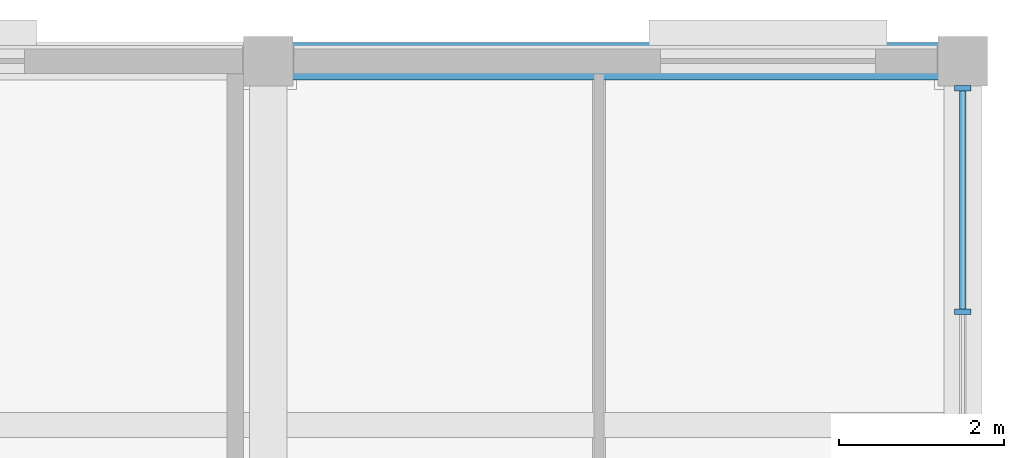
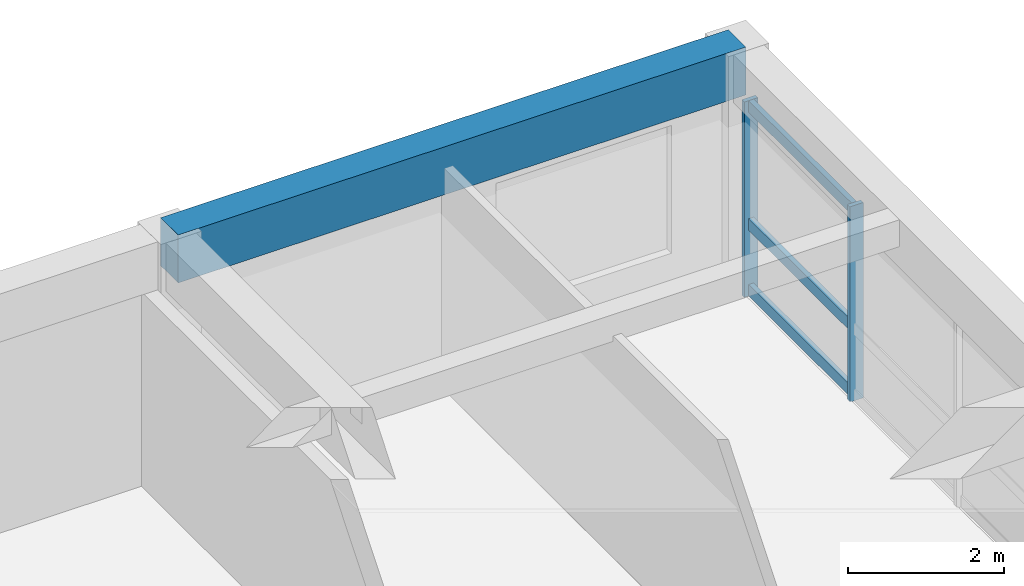
# One storey, part 6 of 14: 5 members, 1 beam, 1 element without a shape of its own.
"""IFC4 building model written with IfcOpenShell, lengths in metres."""

from ifc_helpers import new_model, si_unit, direction, frame, origin, origin_2d, place, context, subcontext, project, spatial, rectangle, extrude, material, material_profile, profile_set, type_object, element, aggregate, save


model = new_model("IFC4")

# Units and contexts
model_context = context("Model", 3, precision=1e-05, world=origin(), true_north=direction((0.0, 1.0)))
body_context = subcontext(model_context, "Body", "Model", "MODEL_VIEW")
ifc_project = project(units=[si_unit("LENGTHUNIT", "METRE"), si_unit("AREAUNIT", "SQUARE_METRE"), si_unit("VOLUMEUNIT", "CUBIC_METRE"), si_unit("PLANEANGLEUNIT", "RADIAN"), si_unit("MASSUNIT", "GRAM", prefix="KILO")], contexts=[model_context])

# Site, building, storey
site_placement = place(None, origin())
site = spatial("IfcSite", under=ifc_project, at=site_placement, CompositionType="ELEMENT")
building_placement = place(site_placement, origin())
building = spatial("IfcBuilding", under=site, at=building_placement, Name="Kemercrest Conservatory and Botanical Centre", CompositionType="ELEMENT")
storey_placement = place(building_placement, frame((0.0, 0.0, 44.39990234375)))
storey = spatial("IfcBuildingStorey", under=building, at=storey_placement, Name="L11", CompositionType="ELEMENT", Elevation=44.39990234375)

# Curtain wall, members
ifc_material_1 = material(Name="Thermally broken aluminium and triple low-e glazing", Category="aluminium")
curtain_wall_type = type_object("IfcCurtainWallType", Name="CW-06", PredefinedType="USERDEFINED", material=ifc_material_1)
curtain_wall_placement = place(storey_placement, origin())
curtain_wall = element("IfcCurtainWall", 1, at=curtain_wall_placement, inside=storey, type_object=curtain_wall_type, Name="Unitised curtain wall CW-06 (CW:L11:V4-125)", ObjectType="UNITISED CURTAIN WALL", PredefinedType="USERDEFINED")
ifc_material_2 = material(Name="Thermally broken anodized aluminium 6063-T6", Category="aluminium")
ifc_material_profile_1 = material_profile(ifc_material_2, rectangle(XDim=0.199951171875, YDim=0.06494140625, at=origin_2d()), Name="AL MULLION 65x200")
ifc_profile_set_1 = profile_set([ifc_material_profile_1], Name="Thermally broken anodized aluminium 6063-T6")
member_type_1 = type_object("IfcMemberType", Name="CW-M200", PredefinedType="MULLION", material=ifc_profile_set_1)
member_1_placement = place(storey_placement, frame((176.0, 119.368408203125, 0.0), z_axis=(0.0, 0.0, 1.0), x_axis=(-1.0, 0.0, 0.0)))
member_1 = element("IfcMember", 2, at=member_1_placement, type_object=member_type_1, Name="CW-06 mullion 3", PredefinedType="MULLION", context=body_context, shape_type="SweptSolid", body=[
    extrude(rectangle(XDim=0.199951171875, YDim=0.06494140625, at=origin_2d()), origin(), (0.0, 0.0, 1.0), 3.05517578125),
])
member_2_placement = place(storey_placement, frame((176.0, 122.072509765625, 0.0), z_axis=(0.0, 0.0, 1.0), x_axis=(-1.0, 0.0, 0.0)))
member_2 = element("IfcMember", 3, at=member_2_placement, type_object=member_type_1, Name="CW-06 mullion 4", PredefinedType="MULLION", context=body_context, shape_type="SweptSolid", body=[
    extrude(rectangle(XDim=0.199951171875, YDim=0.06494140625, at=origin_2d()), origin(), (0.0, 0.0, 1.0), 3.05517578125),
])
ifc_material_profile_2 = material_profile(ifc_material_2, rectangle(XDim=0.074951171875, YDim=0.179931640625, at=origin_2d()), Name="AL TRANSOM 75x180")
ifc_profile_set_2 = profile_set([ifc_material_profile_2], Name="Thermally broken anodized aluminium 6063-T6")
member_type_2 = type_object("IfcMemberType", Name="CW-T180", PredefinedType="USERDEFINED", material=ifc_profile_set_2)
member_3_placement = place(storey_placement, frame((176.0, 119.40087890625, 0.090087890625), z_axis=(0.0, 1.0, 0.0), x_axis=(-1.0, 0.0, 0.0)))
member_3 = element("IfcMember", 4, at=member_3_placement, type_object=member_type_2, Name="CW-06 transom 3.1", ObjectType="TRANSOM", PredefinedType="USERDEFINED", context=body_context, shape_type="SweptSolid", body=[
    extrude(rectangle(XDim=0.074951171875, YDim=0.179931640625, at=origin_2d()), origin(), (0.0, 0.0, 1.0), 2.63916015625),
])
member_4_placement = place(storey_placement, frame((176.0, 119.40087890625, 1.1201171875), z_axis=(0.0, 1.0, 0.0), x_axis=(-1.0, 0.0, 0.0)))
member_4 = element("IfcMember", 5, at=member_4_placement, type_object=member_type_2, Name="CW-06 transom 3.2", ObjectType="TRANSOM", PredefinedType="USERDEFINED", context=body_context, shape_type="SweptSolid", body=[
    extrude(rectangle(XDim=0.074951171875, YDim=0.179931640625, at=origin_2d()), origin(), (0.0, 0.0, 1.0), 2.63916015625),
])
member_5_placement = place(storey_placement, frame((176.0, 119.40087890625, 2.965087890625), z_axis=(0.0, 1.0, 0.0), x_axis=(-1.0, 0.0, 0.0)))
member_5 = element("IfcMember", 6, at=member_5_placement, type_object=member_type_2, Name="CW-06 transom 3.3", ObjectType="TRANSOM", PredefinedType="USERDEFINED", context=body_context, shape_type="SweptSolid", body=[
    extrude(rectangle(XDim=0.074951171875, YDim=0.179931640625, at=origin_2d()), origin(), (0.0, 0.0, 1.0), 2.63916015625),
])
aggregate(curtain_wall, [member_1, member_2, member_3, member_4, member_5])

# Beam
ifc_material_3 = material(Name="Concrete C40/50", Category="concrete")
ifc_material_profile_3 = material_profile(ifc_material_3, rectangle(XDim=0.449951171875, YDim=0.75, at=origin_2d()), Name="RC 450x750")
ifc_profile_set_3 = profile_set([ifc_material_profile_3], Name="Concrete C40/50")
beam_type = type_object("IfcBeamType", Name="SP-RC75", PredefinedType="SPANDREL", material=ifc_profile_set_3)
beam_placement = place(storey_placement, frame((167.60009765625, 122.39990234375, 3.425048828125), z_axis=(1.0, 0.0, 0.0), x_axis=(0.0, 1.0, 0.0)))
element("IfcBeam", 7, at=beam_placement, inside=storey, type_object=beam_type, Name="V4-L12 beam SP-RC75 P/20-21", PredefinedType="SPANDREL", context=body_context, shape_type="SweptSolid", body=[
    extrude(rectangle(XDim=0.449951171875, YDim=0.75, at=origin_2d()), origin(), (0.0, 0.0, 1.0), 8.39990234375),
])

save(model, "model.ifc")
